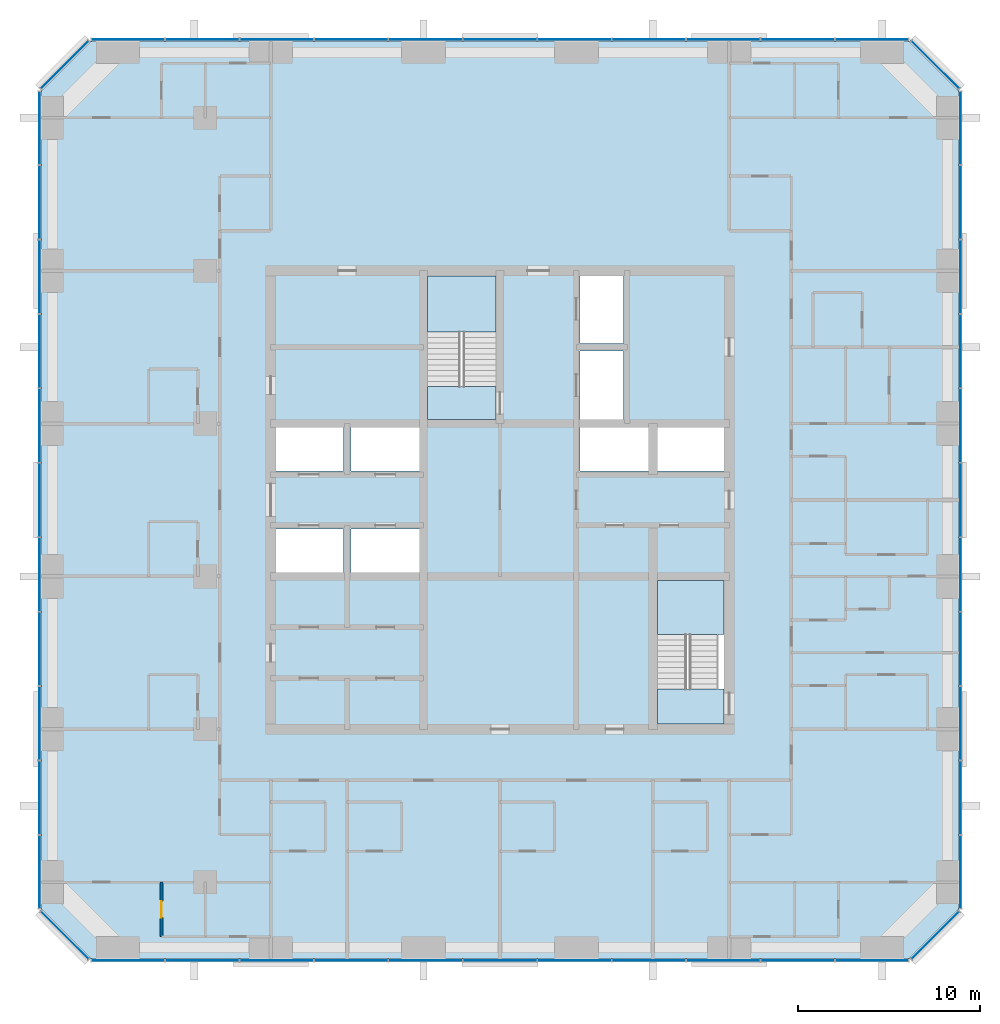
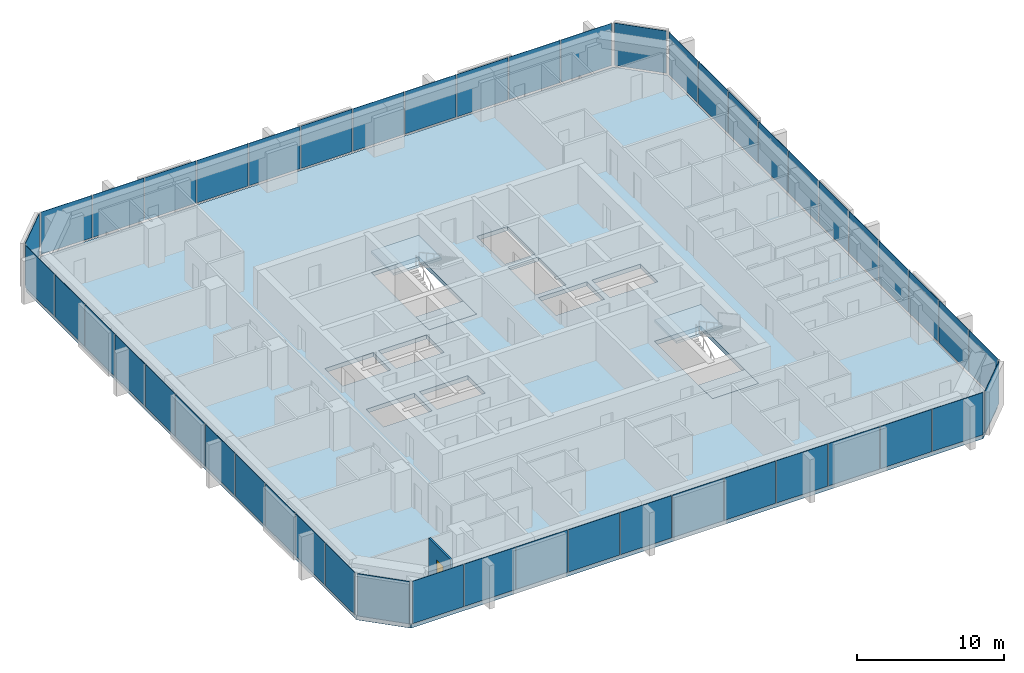
# One storey, part 7 of 13: 48 plates, 5 slabs, 1 door, 1 wall, 1 opening, 10 elements without a shape of their own.
"""IFC4 building model written with IfcOpenShell, lengths in metres."""

from ifc_helpers import new_model, si_unit, direction, frame, frame_2d, origin, origin_2d, place, context, subcontext, project, spatial, polyline, rectangle, outline, extrude, material, layer, layer_set, type_object, element, fill, aggregate, save


model = new_model("IFC4")

# Units and contexts
model_context = context("Model", 3, precision=1e-05, world=origin(), true_north=direction((0.0, 1.0)))
body_context = subcontext(model_context, "Body", "Model", "MODEL_VIEW")
ifc_project = project(units=[si_unit("LENGTHUNIT", "METRE"), si_unit("AREAUNIT", "SQUARE_METRE"), si_unit("VOLUMEUNIT", "CUBIC_METRE"), si_unit("PLANEANGLEUNIT", "RADIAN"), si_unit("MASSUNIT", "GRAM", prefix="KILO")], contexts=[model_context])

# Site, building, storey
site_placement = place(None, origin())
site = spatial("IfcSite", under=ifc_project, at=site_placement, CompositionType="ELEMENT")
building_placement = place(site_placement, origin())
building = spatial("IfcBuilding", under=site, at=building_placement, Name="Dunama Terrace Hotel", CompositionType="ELEMENT")
storey_placement = place(building_placement, frame((0.0, 0.0, 191.39990234375)))
storey = spatial("IfcBuildingStorey", under=building, at=storey_placement, Name="L49", CompositionType="ELEMENT", Elevation=191.39990234375)

# Curtain wall, plates
ifc_material_1 = material(Name="Aluminium curtain wall system", Category="aluminium")
curtain_wall_type = type_object("IfcCurtainWallType", Name="Unitised fritted glass wall CW-C", PredefinedType="NOTDEFINED", material=ifc_material_1)
curtain_wall_1_placement = place(storey_placement, origin())
curtain_wall_1 = element("IfcCurtainWall", 1, at=curtain_wall_1_placement, inside=storey, type_object=curtain_wall_type, Name="Unitised fritted glass wall CW-C L49", PredefinedType="NOTDEFINED")
ifc_material_2 = material(Name="Laminated glass", Category="glass")
ifc_layer_1 = layer(ifc_material_2, 0.031982421875)
ifc_layer_set_1 = layer_set([ifc_layer_1], Name="CWC clear glass panel")
plate_type_1 = type_object("IfcPlateType", Name="CWC clear glass panel", PredefinedType="CURTAIN_PANEL", material=ifc_layer_set_1)
plate_1_placement = place(storey_placement, frame((13.035888671875, 4.10009765625, 0.080078125), z_axis=(0.0, 0.0, 1.0), x_axis=(1.0, 0.0, 0.0)))
plate_1 = element("IfcPlate", 2, at=plate_1_placement, type_object=plate_type_1, Name="CWC clear glass panel", PredefinedType="CURTAIN_PANEL", context=body_context, shape_type="SweptSolid", body=[
    extrude(rectangle(XDim=4.02099609375, YDim=0.031982421875, at=origin_2d()), origin(), (0.0, 0.0, 1.0), 3.52001953125),
])
plate_2_placement = place(storey_placement, frame((25.30908203125, 4.10009765625, 0.080078125), z_axis=(0.0, 0.0, 1.0), x_axis=(1.0, 0.0, 0.0)))
plate_2 = element("IfcPlate", 3, at=plate_2_placement, type_object=plate_type_1, Name="CWC clear glass panel", PredefinedType="CURTAIN_PANEL", context=body_context, shape_type="SweptSolid", body=[
    extrude(rectangle(XDim=4.02099609375, YDim=0.031982421875, at=origin_2d()), origin(), (0.0, 0.0, 1.0), 3.52001953125),
])
plate_3_placement = place(storey_placement, frame((37.58203125, 4.10009765625, 0.080078125), z_axis=(0.0, 0.0, 1.0), x_axis=(1.0, 0.0, 0.0)))
plate_3 = element("IfcPlate", 4, at=plate_3_placement, type_object=plate_type_1, Name="CWC clear glass panel", PredefinedType="CURTAIN_PANEL", context=body_context, shape_type="SweptSolid", body=[
    extrude(rectangle(XDim=4.02099609375, YDim=0.031982421875, at=origin_2d()), origin(), (0.0, 0.0, 1.0), 3.52001953125),
])
plate_4_placement = place(storey_placement, frame((49.8369140625, 4.10009765625, 0.080078125), z_axis=(0.0, 0.0, 1.0), x_axis=(1.0, 0.0, 0.0)))
plate_4 = element("IfcPlate", 5, at=plate_4_placement, type_object=plate_type_1, Name="CWC clear glass panel", PredefinedType="CURTAIN_PANEL", context=body_context, shape_type="SweptSolid", body=[
    extrude(rectangle(XDim=3.98583984375, YDim=0.031982421875, at=origin_2d()), origin(), (0.0, 0.0, 1.0), 3.52001953125),
])

curtain_wall_2_placement = place(storey_placement, origin())
curtain_wall_2 = element("IfcCurtainWall", 6, at=curtain_wall_2_placement, inside=storey, type_object=curtain_wall_type, Name="Unitised fritted glass wall CW-C L49", PredefinedType="NOTDEFINED")
plate_5_placement = place(storey_placement, frame((54.699951171875, 13.035888671875, 0.080078125), z_axis=(0.0, 0.0, 1.0), x_axis=(0.0, 1.0, 0.0)))
plate_5 = element("IfcPlate", 7, at=plate_5_placement, type_object=plate_type_1, Name="CWC clear glass panel", PredefinedType="CURTAIN_PANEL", context=body_context, shape_type="SweptSolid", body=[
    extrude(rectangle(XDim=4.02099609375, YDim=0.031982421875, at=origin_2d()), origin(), (0.0, 0.0, 1.0), 3.52001953125),
])
plate_6_placement = place(storey_placement, frame((54.699951171875, 25.30908203125, 0.080078125), z_axis=(0.0, 0.0, 1.0), x_axis=(0.0, 1.0, 0.0)))
plate_6 = element("IfcPlate", 8, at=plate_6_placement, type_object=plate_type_1, Name="CWC clear glass panel", PredefinedType="CURTAIN_PANEL", context=body_context, shape_type="SweptSolid", body=[
    extrude(rectangle(XDim=4.02099609375, YDim=0.031982421875, at=origin_2d()), origin(), (0.0, 0.0, 1.0), 3.52001953125),
])
plate_7_placement = place(storey_placement, frame((54.699951171875, 37.58203125, 0.080078125), z_axis=(0.0, 0.0, 1.0), x_axis=(0.0, 1.0, 0.0)))
plate_7 = element("IfcPlate", 9, at=plate_7_placement, type_object=plate_type_1, Name="CWC clear glass panel", PredefinedType="CURTAIN_PANEL", context=body_context, shape_type="SweptSolid", body=[
    extrude(rectangle(XDim=4.02099609375, YDim=0.031982421875, at=origin_2d()), origin(), (0.0, 0.0, 1.0), 3.52001953125),
])
plate_8_placement = place(storey_placement, frame((54.699951171875, 49.8369140625, 0.080078125), z_axis=(0.0, 0.0, 1.0), x_axis=(0.0, 1.0, 0.0)))
plate_8 = element("IfcPlate", 10, at=plate_8_placement, type_object=plate_type_1, Name="CWC clear glass panel", PredefinedType="CURTAIN_PANEL", context=body_context, shape_type="SweptSolid", body=[
    extrude(rectangle(XDim=3.98583984375, YDim=0.031982421875, at=origin_2d()), origin(), (0.0, 0.0, 1.0), 3.52001953125),
])

curtain_wall_3_placement = place(storey_placement, origin())
curtain_wall_3 = element("IfcCurtainWall", 11, at=curtain_wall_3_placement, inside=storey, type_object=curtain_wall_type, Name="Unitised fritted glass wall CW-C L49", PredefinedType="NOTDEFINED")
plate_9_placement = place(storey_placement, frame((45.763916015625, 54.699951171875, 0.080078125), z_axis=(0.0, 0.0, 1.0), x_axis=(-1.0, 0.0, 0.0)))
plate_9 = element("IfcPlate", 12, at=plate_9_placement, type_object=plate_type_1, Name="CWC clear glass panel", PredefinedType="CURTAIN_PANEL", context=body_context, shape_type="SweptSolid", body=[
    extrude(rectangle(XDim=4.02099609375, YDim=0.031982421875, at=origin_2d()), origin(), (0.0, 0.0, 1.0), 3.52001953125),
])
plate_10_placement = place(storey_placement, frame((33.490966796875, 54.699951171875, 0.080078125), z_axis=(0.0, 0.0, 1.0), x_axis=(-1.0, 0.0, 0.0)))
plate_10 = element("IfcPlate", 13, at=plate_10_placement, type_object=plate_type_1, Name="CWC clear glass panel", PredefinedType="CURTAIN_PANEL", context=body_context, shape_type="SweptSolid", body=[
    extrude(rectangle(XDim=4.02099609375, YDim=0.031982421875, at=origin_2d()), origin(), (0.0, 0.0, 1.0), 3.52001953125),
])
plate_11_placement = place(storey_placement, frame((21.218017578125, 54.699951171875, 0.080078125), z_axis=(0.0, 0.0, 1.0), x_axis=(-1.0, 0.0, 0.0)))
plate_11 = element("IfcPlate", 14, at=plate_11_placement, type_object=plate_type_1, Name="CWC clear glass panel", PredefinedType="CURTAIN_PANEL", context=body_context, shape_type="SweptSolid", body=[
    extrude(rectangle(XDim=4.02099609375, YDim=0.031982421875, at=origin_2d()), origin(), (0.0, 0.0, 1.0), 3.52001953125),
])
plate_12_placement = place(storey_placement, frame((8.962890625, 54.699951171875, 0.080078125), z_axis=(0.0, 0.0, 1.0), x_axis=(-1.0, 0.0, 0.0)))
plate_12 = element("IfcPlate", 15, at=plate_12_placement, type_object=plate_type_1, Name="CWC clear glass panel", PredefinedType="CURTAIN_PANEL", context=body_context, shape_type="SweptSolid", body=[
    extrude(rectangle(XDim=3.98583984375, YDim=0.031982421875, at=origin_2d()), origin(), (0.0, 0.0, 1.0), 3.52001953125),
])

curtain_wall_4_placement = place(storey_placement, origin())
curtain_wall_4 = element("IfcCurtainWall", 16, at=curtain_wall_4_placement, inside=storey, type_object=curtain_wall_type, Name="Unitised fritted glass wall CW-C L49", PredefinedType="NOTDEFINED")
plate_13_placement = place(storey_placement, frame((4.10009765625, 45.763916015625, 0.080078125), z_axis=(0.0, 0.0, 1.0), x_axis=(0.0, -1.0, 0.0)))
plate_13 = element("IfcPlate", 17, at=plate_13_placement, type_object=plate_type_1, Name="CWC clear glass panel", PredefinedType="CURTAIN_PANEL", context=body_context, shape_type="SweptSolid", body=[
    extrude(rectangle(XDim=4.02099609375, YDim=0.031982421875, at=origin_2d()), origin(), (0.0, 0.0, 1.0), 3.52001953125),
])
plate_14_placement = place(storey_placement, frame((4.10009765625, 33.490966796875, 0.080078125), z_axis=(0.0, 0.0, 1.0), x_axis=(0.0, -1.0, 0.0)))
plate_14 = element("IfcPlate", 18, at=plate_14_placement, type_object=plate_type_1, Name="CWC clear glass panel", PredefinedType="CURTAIN_PANEL", context=body_context, shape_type="SweptSolid", body=[
    extrude(rectangle(XDim=4.02099609375, YDim=0.031982421875, at=origin_2d()), origin(), (0.0, 0.0, 1.0), 3.52001953125),
])
plate_15_placement = place(storey_placement, frame((4.10009765625, 21.218017578125, 0.080078125), z_axis=(0.0, 0.0, 1.0), x_axis=(0.0, -1.0, 0.0)))
plate_15 = element("IfcPlate", 19, at=plate_15_placement, type_object=plate_type_1, Name="CWC clear glass panel", PredefinedType="CURTAIN_PANEL", context=body_context, shape_type="SweptSolid", body=[
    extrude(rectangle(XDim=4.02099609375, YDim=0.031982421875, at=origin_2d()), origin(), (0.0, 0.0, 1.0), 3.52001953125),
])
plate_16_placement = place(storey_placement, frame((4.10009765625, 8.962890625, 0.080078125), z_axis=(0.0, 0.0, 1.0), x_axis=(0.0, -1.0, 0.0)))
plate_16 = element("IfcPlate", 20, at=plate_16_placement, type_object=plate_type_1, Name="CWC clear glass panel", PredefinedType="CURTAIN_PANEL", context=body_context, shape_type="SweptSolid", body=[
    extrude(rectangle(XDim=3.98583984375, YDim=0.031982421875, at=origin_2d()), origin(), (0.0, 0.0, 1.0), 3.52001953125),
])

# Plate
ifc_material_3 = material(Name="Fritted laminated glass", Category="glass")
ifc_layer_2 = layer(ifc_material_3, 0.031982421875)
ifc_layer_set_2 = layer_set([ifc_layer_2], Name="CWC fritted glass panel")
plate_type_2 = type_object("IfcPlateType", Name="CWC fritted glass panel", PredefinedType="CURTAIN_PANEL", material=ifc_layer_set_2)
plate_17_placement = place(storey_placement, frame((8.962890625, 4.10009765625, 0.080078125), z_axis=(0.0, 0.0, 1.0), x_axis=(1.0, 0.0, 0.0)))
plate_17 = element("IfcPlate", 21, at=plate_17_placement, type_object=plate_type_2, Name="CWC fritted glass panel", PredefinedType="CURTAIN_PANEL", context=body_context, shape_type="SweptSolid", body=[
    extrude(rectangle(XDim=3.98583984375, YDim=0.031982421875, at=origin_2d()), origin(), (0.0, 0.0, 1.0), 3.52001953125),
])

plate_18_placement = place(storey_placement, frame((21.218017578125, 4.10009765625, 0.080078125), z_axis=(0.0, 0.0, 1.0), x_axis=(1.0, 0.0, 0.0)))
plate_18 = element("IfcPlate", 22, at=plate_18_placement, type_object=plate_type_2, Name="CWC fritted glass panel", PredefinedType="CURTAIN_PANEL", context=body_context, shape_type="SweptSolid", body=[
    extrude(rectangle(XDim=4.02099609375, YDim=0.031982421875, at=origin_2d()), origin(), (0.0, 0.0, 1.0), 3.52001953125),
])

plate_19_placement = place(storey_placement, frame((33.490966796875, 4.10009765625, 0.080078125), z_axis=(0.0, 0.0, 1.0), x_axis=(1.0, 0.0, 0.0)))
plate_19 = element("IfcPlate", 23, at=plate_19_placement, type_object=plate_type_2, Name="CWC fritted glass panel", PredefinedType="CURTAIN_PANEL", context=body_context, shape_type="SweptSolid", body=[
    extrude(rectangle(XDim=4.02099609375, YDim=0.031982421875, at=origin_2d()), origin(), (0.0, 0.0, 1.0), 3.52001953125),
])

plate_20_placement = place(storey_placement, frame((45.763916015625, 4.10009765625, 0.080078125), z_axis=(0.0, 0.0, 1.0), x_axis=(1.0, 0.0, 0.0)))
plate_20 = element("IfcPlate", 24, at=plate_20_placement, type_object=plate_type_2, Name="CWC fritted glass panel", PredefinedType="CURTAIN_PANEL", context=body_context, shape_type="SweptSolid", body=[
    extrude(rectangle(XDim=4.02099609375, YDim=0.031982421875, at=origin_2d()), origin(), (0.0, 0.0, 1.0), 3.52001953125),
])

plate_21_placement = place(storey_placement, frame((54.699951171875, 8.962890625, 0.080078125), z_axis=(0.0, 0.0, 1.0), x_axis=(0.0, 1.0, 0.0)))
plate_21 = element("IfcPlate", 25, at=plate_21_placement, type_object=plate_type_2, Name="CWC fritted glass panel", PredefinedType="CURTAIN_PANEL", context=body_context, shape_type="SweptSolid", body=[
    extrude(rectangle(XDim=3.98583984375, YDim=0.031982421875, at=origin_2d()), origin(), (0.0, 0.0, 1.0), 3.52001953125),
])

plate_22_placement = place(storey_placement, frame((54.699951171875, 21.218017578125, 0.080078125), z_axis=(0.0, 0.0, 1.0), x_axis=(0.0, 1.0, 0.0)))
plate_22 = element("IfcPlate", 26, at=plate_22_placement, type_object=plate_type_2, Name="CWC fritted glass panel", PredefinedType="CURTAIN_PANEL", context=body_context, shape_type="SweptSolid", body=[
    extrude(rectangle(XDim=4.02099609375, YDim=0.031982421875, at=origin_2d()), origin(), (0.0, 0.0, 1.0), 3.52001953125),
])

plate_23_placement = place(storey_placement, frame((54.699951171875, 33.490966796875, 0.080078125), z_axis=(0.0, 0.0, 1.0), x_axis=(0.0, 1.0, 0.0)))
plate_23 = element("IfcPlate", 27, at=plate_23_placement, type_object=plate_type_2, Name="CWC fritted glass panel", PredefinedType="CURTAIN_PANEL", context=body_context, shape_type="SweptSolid", body=[
    extrude(rectangle(XDim=4.02099609375, YDim=0.031982421875, at=origin_2d()), origin(), (0.0, 0.0, 1.0), 3.52001953125),
])

plate_24_placement = place(storey_placement, frame((54.699951171875, 45.763916015625, 0.080078125), z_axis=(0.0, 0.0, 1.0), x_axis=(0.0, 1.0, 0.0)))
plate_24 = element("IfcPlate", 28, at=plate_24_placement, type_object=plate_type_2, Name="CWC fritted glass panel", PredefinedType="CURTAIN_PANEL", context=body_context, shape_type="SweptSolid", body=[
    extrude(rectangle(XDim=4.02099609375, YDim=0.031982421875, at=origin_2d()), origin(), (0.0, 0.0, 1.0), 3.52001953125),
])

plate_25_placement = place(storey_placement, frame((49.8369140625, 54.699951171875, 0.080078125), z_axis=(0.0, 0.0, 1.0), x_axis=(-1.0, 0.0, 0.0)))
plate_25 = element("IfcPlate", 29, at=plate_25_placement, type_object=plate_type_2, Name="CWC fritted glass panel", PredefinedType="CURTAIN_PANEL", context=body_context, shape_type="SweptSolid", body=[
    extrude(rectangle(XDim=3.98583984375, YDim=0.031982421875, at=origin_2d()), origin(), (0.0, 0.0, 1.0), 3.52001953125),
])

plate_26_placement = place(storey_placement, frame((37.58203125, 54.699951171875, 0.080078125), z_axis=(0.0, 0.0, 1.0), x_axis=(-1.0, 0.0, 0.0)))
plate_26 = element("IfcPlate", 30, at=plate_26_placement, type_object=plate_type_2, Name="CWC fritted glass panel", PredefinedType="CURTAIN_PANEL", context=body_context, shape_type="SweptSolid", body=[
    extrude(rectangle(XDim=4.02099609375, YDim=0.031982421875, at=origin_2d()), origin(), (0.0, 0.0, 1.0), 3.52001953125),
])

plate_27_placement = place(storey_placement, frame((25.30908203125, 54.699951171875, 0.080078125), z_axis=(0.0, 0.0, 1.0), x_axis=(-1.0, 0.0, 0.0)))
plate_27 = element("IfcPlate", 31, at=plate_27_placement, type_object=plate_type_2, Name="CWC fritted glass panel", PredefinedType="CURTAIN_PANEL", context=body_context, shape_type="SweptSolid", body=[
    extrude(rectangle(XDim=4.02099609375, YDim=0.031982421875, at=origin_2d()), origin(), (0.0, 0.0, 1.0), 3.52001953125),
])

plate_28_placement = place(storey_placement, frame((13.035888671875, 54.699951171875, 0.080078125), z_axis=(0.0, 0.0, 1.0), x_axis=(-1.0, 0.0, 0.0)))
plate_28 = element("IfcPlate", 32, at=plate_28_placement, type_object=plate_type_2, Name="CWC fritted glass panel", PredefinedType="CURTAIN_PANEL", context=body_context, shape_type="SweptSolid", body=[
    extrude(rectangle(XDim=4.02099609375, YDim=0.031982421875, at=origin_2d()), origin(), (0.0, 0.0, 1.0), 3.52001953125),
])

plate_29_placement = place(storey_placement, frame((4.10009765625, 49.8369140625, 0.080078125), z_axis=(0.0, 0.0, 1.0), x_axis=(0.0, -1.0, 0.0)))
plate_29 = element("IfcPlate", 33, at=plate_29_placement, type_object=plate_type_2, Name="CWC fritted glass panel", PredefinedType="CURTAIN_PANEL", context=body_context, shape_type="SweptSolid", body=[
    extrude(rectangle(XDim=3.98583984375, YDim=0.031982421875, at=origin_2d()), origin(), (0.0, 0.0, 1.0), 3.52001953125),
])

plate_30_placement = place(storey_placement, frame((4.10009765625, 37.58203125, 0.080078125), z_axis=(0.0, 0.0, 1.0), x_axis=(0.0, -1.0, 0.0)))
plate_30 = element("IfcPlate", 34, at=plate_30_placement, type_object=plate_type_2, Name="CWC fritted glass panel", PredefinedType="CURTAIN_PANEL", context=body_context, shape_type="SweptSolid", body=[
    extrude(rectangle(XDim=4.02099609375, YDim=0.031982421875, at=origin_2d()), origin(), (0.0, 0.0, 1.0), 3.52001953125),
])

plate_31_placement = place(storey_placement, frame((4.10009765625, 25.30908203125, 0.080078125), z_axis=(0.0, 0.0, 1.0), x_axis=(0.0, -1.0, 0.0)))
plate_31 = element("IfcPlate", 35, at=plate_31_placement, type_object=plate_type_2, Name="CWC fritted glass panel", PredefinedType="CURTAIN_PANEL", context=body_context, shape_type="SweptSolid", body=[
    extrude(rectangle(XDim=4.02099609375, YDim=0.031982421875, at=origin_2d()), origin(), (0.0, 0.0, 1.0), 3.52001953125),
])

plate_32_placement = place(storey_placement, frame((4.10009765625, 13.035888671875, 0.080078125), z_axis=(0.0, 0.0, 1.0), x_axis=(0.0, -1.0, 0.0)))
plate_32 = element("IfcPlate", 36, at=plate_32_placement, type_object=plate_type_2, Name="CWC fritted glass panel", PredefinedType="CURTAIN_PANEL", context=body_context, shape_type="SweptSolid", body=[
    extrude(rectangle(XDim=4.02099609375, YDim=0.031982421875, at=origin_2d()), origin(), (0.0, 0.0, 1.0), 3.52001953125),
])

ifc_material_4 = material(Name="Laminated glass", Category="glass")
ifc_layer_3 = layer(ifc_material_4, 0.031982421875)
ifc_layer_set_3 = layer_set([ifc_layer_3], Name="CWC operable glass panel")
plate_type_3 = type_object("IfcPlateType", Name="CWC operable glass panel", PredefinedType="CURTAIN_PANEL", material=ifc_layer_set_3)
plate_33_placement = place(storey_placement, frame((17.126953125, 4.10009765625, 0.080078125), z_axis=(0.0, 0.0, 1.0), x_axis=(1.0, 0.0, 0.0)))
plate_33 = element("IfcPlate", 37, at=plate_33_placement, type_object=plate_type_3, Name="CWC operable glass panel", PredefinedType="CURTAIN_PANEL", context=body_context, shape_type="SweptSolid", body=[
    extrude(rectangle(XDim=4.02099609375, YDim=0.031982421875, at=origin_2d()), origin(), (0.0, 0.0, 1.0), 3.52001953125),
])

plate_34_placement = place(storey_placement, frame((29.39990234375, 4.10009765625, 0.080078125), z_axis=(0.0, 0.0, 1.0), x_axis=(1.0, 0.0, 0.0)))
plate_34 = element("IfcPlate", 38, at=plate_34_placement, type_object=plate_type_3, Name="CWC operable glass panel", PredefinedType="CURTAIN_PANEL", context=body_context, shape_type="SweptSolid", body=[
    extrude(rectangle(XDim=4.02099609375, YDim=0.031982421875, at=origin_2d()), origin(), (0.0, 0.0, 1.0), 3.52001953125),
])

plate_35_placement = place(storey_placement, frame((41.673095703125, 4.10009765625, 0.080078125), z_axis=(0.0, 0.0, 1.0), x_axis=(1.0, 0.0, 0.0)))
plate_35 = element("IfcPlate", 39, at=plate_35_placement, type_object=plate_type_3, Name="CWC operable glass panel", PredefinedType="CURTAIN_PANEL", context=body_context, shape_type="SweptSolid", body=[
    extrude(rectangle(XDim=4.02099609375, YDim=0.031982421875, at=origin_2d()), origin(), (0.0, 0.0, 1.0), 3.52001953125),
])

aggregate(curtain_wall_1, [plate_17, plate_1, plate_33, plate_18, plate_2, plate_34, plate_19, plate_3, plate_35, plate_20, plate_4])

# Curtain wall, plate
curtain_wall_5_placement = place(storey_placement, origin())
curtain_wall_5 = element("IfcCurtainWall", 40, at=curtain_wall_5_placement, inside=storey, type_object=curtain_wall_type, Name="Unitised fritted glass wall CW-C L49", PredefinedType="NOTDEFINED")
plate_36_placement = place(storey_placement, frame((53.321044921875, 5.47900390625, 0.080078125), z_axis=(0.0, 0.0, 1.0), x_axis=(0.707106781187, 0.707106781187, 0.0)))
plate_36 = element("IfcPlate", 41, at=plate_36_placement, type_object=plate_type_3, Name="CWC operable glass panel", PredefinedType="CURTAIN_PANEL", context=body_context, shape_type="SweptSolid", body=[
    extrude(rectangle(XDim=3.678466796875, YDim=0.031982421875, at=origin_2d()), origin(), (0.0, 0.0, 1.0), 3.52001953125),
])
aggregate(curtain_wall_5, [plate_36])

# Plate
plate_37_placement = place(storey_placement, frame((54.699951171875, 17.126953125, 0.080078125), z_axis=(0.0, 0.0, 1.0), x_axis=(0.0, 1.0, 0.0)))
plate_37 = element("IfcPlate", 42, at=plate_37_placement, type_object=plate_type_3, Name="CWC operable glass panel", PredefinedType="CURTAIN_PANEL", context=body_context, shape_type="SweptSolid", body=[
    extrude(rectangle(XDim=4.02099609375, YDim=0.031982421875, at=origin_2d()), origin(), (0.0, 0.0, 1.0), 3.52001953125),
])

plate_38_placement = place(storey_placement, frame((54.699951171875, 29.39990234375, 0.080078125), z_axis=(0.0, 0.0, 1.0), x_axis=(0.0, 1.0, 0.0)))
plate_38 = element("IfcPlate", 43, at=plate_38_placement, type_object=plate_type_3, Name="CWC operable glass panel", PredefinedType="CURTAIN_PANEL", context=body_context, shape_type="SweptSolid", body=[
    extrude(rectangle(XDim=4.02099609375, YDim=0.031982421875, at=origin_2d()), origin(), (0.0, 0.0, 1.0), 3.52001953125),
])

plate_39_placement = place(storey_placement, frame((54.699951171875, 41.673095703125, 0.080078125), z_axis=(0.0, 0.0, 1.0), x_axis=(0.0, 1.0, 0.0)))
plate_39 = element("IfcPlate", 44, at=plate_39_placement, type_object=plate_type_3, Name="CWC operable glass panel", PredefinedType="CURTAIN_PANEL", context=body_context, shape_type="SweptSolid", body=[
    extrude(rectangle(XDim=4.02099609375, YDim=0.031982421875, at=origin_2d()), origin(), (0.0, 0.0, 1.0), 3.52001953125),
])

aggregate(curtain_wall_2, [plate_21, plate_5, plate_37, plate_22, plate_6, plate_38, plate_23, plate_7, plate_39, plate_24, plate_8])

# Curtain wall, plate
curtain_wall_6_placement = place(storey_placement, origin())
curtain_wall_6 = element("IfcCurtainWall", 45, at=curtain_wall_6_placement, inside=storey, type_object=curtain_wall_type, Name="Unitised fritted glass wall CW-C L49", PredefinedType="NOTDEFINED")
plate_40_placement = place(storey_placement, frame((53.321044921875, 53.321044921875, 0.080078125), z_axis=(0.0, 0.0, 1.0), x_axis=(-0.707106781187, 0.707106781187, 0.0)))
plate_40 = element("IfcPlate", 46, at=plate_40_placement, type_object=plate_type_3, Name="CWC operable glass panel", PredefinedType="CURTAIN_PANEL", context=body_context, shape_type="SweptSolid", body=[
    extrude(rectangle(XDim=3.678466796875, YDim=0.031982421875, at=origin_2d()), origin(), (0.0, 0.0, 1.0), 3.52001953125),
])
aggregate(curtain_wall_6, [plate_40])

# Plate
plate_41_placement = place(storey_placement, frame((41.673095703125, 54.699951171875, 0.080078125), z_axis=(0.0, 0.0, 1.0), x_axis=(-1.0, 0.0, 0.0)))
plate_41 = element("IfcPlate", 47, at=plate_41_placement, type_object=plate_type_3, Name="CWC operable glass panel", PredefinedType="CURTAIN_PANEL", context=body_context, shape_type="SweptSolid", body=[
    extrude(rectangle(XDim=4.02099609375, YDim=0.031982421875, at=origin_2d()), origin(), (0.0, 0.0, 1.0), 3.52001953125),
])

plate_42_placement = place(storey_placement, frame((29.39990234375, 54.699951171875, 0.080078125), z_axis=(0.0, 0.0, 1.0), x_axis=(-1.0, 0.0, 0.0)))
plate_42 = element("IfcPlate", 48, at=plate_42_placement, type_object=plate_type_3, Name="CWC operable glass panel", PredefinedType="CURTAIN_PANEL", context=body_context, shape_type="SweptSolid", body=[
    extrude(rectangle(XDim=4.02099609375, YDim=0.031982421875, at=origin_2d()), origin(), (0.0, 0.0, 1.0), 3.52001953125),
])

plate_43_placement = place(storey_placement, frame((17.126953125, 54.699951171875, 0.080078125), z_axis=(0.0, 0.0, 1.0), x_axis=(-1.0, 0.0, 0.0)))
plate_43 = element("IfcPlate", 49, at=plate_43_placement, type_object=plate_type_3, Name="CWC operable glass panel", PredefinedType="CURTAIN_PANEL", context=body_context, shape_type="SweptSolid", body=[
    extrude(rectangle(XDim=4.02099609375, YDim=0.031982421875, at=origin_2d()), origin(), (0.0, 0.0, 1.0), 3.52001953125),
])

aggregate(curtain_wall_3, [plate_25, plate_9, plate_41, plate_26, plate_10, plate_42, plate_27, plate_11, plate_43, plate_28, plate_12])

# Curtain wall, plate
curtain_wall_7_placement = place(storey_placement, origin())
curtain_wall_7 = element("IfcCurtainWall", 50, at=curtain_wall_7_placement, inside=storey, type_object=curtain_wall_type, Name="Unitised fritted glass wall CW-C L49", PredefinedType="NOTDEFINED")
plate_44_placement = place(storey_placement, frame((5.47900390625, 53.321044921875, 0.080078125), z_axis=(0.0, 0.0, 1.0), x_axis=(-0.707106781187, -0.707106781187, 0.0)))
plate_44 = element("IfcPlate", 51, at=plate_44_placement, type_object=plate_type_3, Name="CWC operable glass panel", PredefinedType="CURTAIN_PANEL", context=body_context, shape_type="SweptSolid", body=[
    extrude(rectangle(XDim=3.678466796875, YDim=0.031982421875, at=origin_2d()), origin(), (0.0, 0.0, 1.0), 3.52001953125),
])
aggregate(curtain_wall_7, [plate_44])

# Plate
plate_45_placement = place(storey_placement, frame((4.10009765625, 41.673095703125, 0.080078125), z_axis=(0.0, 0.0, 1.0), x_axis=(0.0, -1.0, 0.0)))
plate_45 = element("IfcPlate", 52, at=plate_45_placement, type_object=plate_type_3, Name="CWC operable glass panel", PredefinedType="CURTAIN_PANEL", context=body_context, shape_type="SweptSolid", body=[
    extrude(rectangle(XDim=4.02099609375, YDim=0.031982421875, at=origin_2d()), origin(), (0.0, 0.0, 1.0), 3.52001953125),
])

plate_46_placement = place(storey_placement, frame((4.10009765625, 29.39990234375, 0.080078125), z_axis=(0.0, 0.0, 1.0), x_axis=(0.0, -1.0, 0.0)))
plate_46 = element("IfcPlate", 53, at=plate_46_placement, type_object=plate_type_3, Name="CWC operable glass panel", PredefinedType="CURTAIN_PANEL", context=body_context, shape_type="SweptSolid", body=[
    extrude(rectangle(XDim=4.02099609375, YDim=0.031982421875, at=origin_2d()), origin(), (0.0, 0.0, 1.0), 3.52001953125),
])

plate_47_placement = place(storey_placement, frame((4.10009765625, 17.126953125, 0.080078125), z_axis=(0.0, 0.0, 1.0), x_axis=(0.0, -1.0, 0.0)))
plate_47 = element("IfcPlate", 54, at=plate_47_placement, type_object=plate_type_3, Name="CWC operable glass panel", PredefinedType="CURTAIN_PANEL", context=body_context, shape_type="SweptSolid", body=[
    extrude(rectangle(XDim=4.02099609375, YDim=0.031982421875, at=origin_2d()), origin(), (0.0, 0.0, 1.0), 3.52001953125),
])

aggregate(curtain_wall_4, [plate_29, plate_13, plate_45, plate_30, plate_14, plate_46, plate_31, plate_15, plate_47, plate_32, plate_16])

# Curtain wall, plate
curtain_wall_8_placement = place(storey_placement, origin())
curtain_wall_8 = element("IfcCurtainWall", 55, at=curtain_wall_8_placement, inside=storey, type_object=curtain_wall_type, Name="Unitised fritted glass wall CW-C L49", PredefinedType="NOTDEFINED")
plate_48_placement = place(storey_placement, frame((5.47900390625, 5.47900390625, 0.080078125), z_axis=(0.0, 0.0, 1.0), x_axis=(0.707106781187, -0.707106781187, 0.0)))
plate_48 = element("IfcPlate", 56, at=plate_48_placement, type_object=plate_type_3, Name="CWC operable glass panel", PredefinedType="CURTAIN_PANEL", context=body_context, shape_type="SweptSolid", body=[
    extrude(rectangle(XDim=3.678466796875, YDim=0.031982421875, at=origin_2d()), origin(), (0.0, 0.0, 1.0), 3.52001953125),
])
aggregate(curtain_wall_8, [plate_48])

# Slab
ifc_material_5 = material(Name="Concrete C40/50", Category="concrete")
ifc_layer_4 = layer(ifc_material_5, 0.35009765625)
ifc_layer_set_4 = layer_set([ifc_layer_4], Name="Flat plate 350")
slab_type_1 = type_object("IfcSlabType", Name="Flat plate 350", PredefinedType="FLOOR", material=ifc_layer_set_4)
slab_1_placement = place(storey_placement, frame((0.0, 0.0, -0.349853515625)))
element("IfcSlab", 57, at=slab_1_placement, inside=storey, type_object=slab_type_1, Name="Floor slab L49", PredefinedType="FLOOR", context=body_context, shape_type="SweptSolid", body=[
    extrude(outline(polyline([(6.89990234375, 4.199951171875), (51.89990234375, 4.199951171875), (54.60009765625, 6.89990234375), (54.60009765625, 51.89990234375), (51.89990234375, 54.60009765625), (6.89990234375, 54.60009765625), (4.199951171875, 51.89990234375), (4.199951171875, 6.89990234375), (6.89990234375, 4.199951171875)]), holes=[polyline([(20.800048828125, 25.39990234375), (20.800048828125, 27.800048828125), (17.0, 27.800048828125), (17.0, 25.39990234375), (20.800048828125, 25.39990234375)]), polyline([(25.0, 25.39990234375), (25.0, 27.800048828125), (21.199951171875, 27.800048828125), (21.199951171875, 25.39990234375), (25.0, 25.39990234375)]), polyline([(20.800048828125, 31.0), (20.800048828125, 33.39990234375), (17.0, 33.39990234375), (17.0, 31.0), (20.800048828125, 31.0)]), polyline([(25.0, 31.0), (25.0, 33.39990234375), (21.199951171875, 33.39990234375), (21.199951171875, 31.0), (25.0, 31.0)]), polyline([(37.60009765625, 31.0), (37.60009765625, 33.39990234375), (33.800048828125, 33.39990234375), (33.800048828125, 31.0), (37.60009765625, 31.0)]), polyline([(41.800048828125, 31.0), (41.800048828125, 33.39990234375), (38.0, 33.39990234375), (38.0, 31.0), (41.800048828125, 31.0)]), polyline([(36.199951171875, 38.0), (36.199951171875, 41.800048828125), (33.800048828125, 41.800048828125), (33.800048828125, 38.0), (36.199951171875, 38.0)]), polyline([(36.199951171875, 33.800048828125), (36.199951171875, 37.60009765625), (33.800048828125, 37.60009765625), (33.800048828125, 33.800048828125), (36.199951171875, 33.800048828125)]), polyline([(29.175048828125, 33.824951171875), (29.175048828125, 41.699951171875), (25.425048828125, 41.699951171875), (25.425048828125, 33.824951171875), (29.175048828125, 33.824951171875)]), polyline([(41.699951171875, 17.10009765625), (41.699951171875, 24.97509765625), (38.050048828125, 24.97509765625), (38.050048828125, 17.10009765625), (41.699951171875, 17.10009765625)])]), origin(), (0.0, 0.0, 1.0), 0.349853515625),
])

# Stair, slabs
ifc_material_6 = material(Name="Concrete C40/50", Category="concrete")
stair_type_1 = type_object("IfcStairType", Name="Stair ST1-3600-1800", PredefinedType="HALF_TURN_STAIR", material=ifc_material_6)
stair_1_placement = place(storey_placement, origin())
stair_1 = element("IfcStair", 58, at=stair_1_placement, inside=storey, type_object=stair_type_1, Name="Stair ST1 L49", PredefinedType="HALF_TURN_STAIR")
ifc_material_7 = material(Name="Concrete C40/50", Category="concrete")
ifc_layer_5 = layer(ifc_material_7, 0.199951171875)
ifc_layer_set_5 = layer_set([ifc_layer_5], Name="Stair landing 200")
slab_type_2 = type_object("IfcSlabType", Name="Stair landing 200", PredefinedType="LANDING", material=ifc_layer_set_5)
slab_2_placement = place(storey_placement, frame((0.0, 0.0, -0.199951171875)))
slab_2 = element("IfcSlab", 59, at=slab_2_placement, type_object=slab_type_2, Name="ST1 landing 1, type S10", PredefinedType="LANDING", context=body_context, shape_type="SweptSolid", body=[
    extrude(outline(polyline([(25.425048828125, 33.824951171875), (29.175048828125, 33.824951171875), (29.175048828125, 35.625), (25.425048828125, 35.625), (25.425048828125, 33.824951171875)])), origin(), (0.0, 0.0, 1.0), 0.199951171875),
])
slab_3_placement = place(storey_placement, frame((0.0, 0.0, 1.60009765625)))
slab_3 = element("IfcSlab", 60, at=slab_3_placement, type_object=slab_type_2, Name="ST1 landing 2, type S10", PredefinedType="LANDING", context=body_context, shape_type="SweptSolid", body=[
    extrude(outline(polyline([(25.425048828125, 38.625), (29.175048828125, 38.625), (29.175048828125, 41.699951171875), (25.425048828125, 41.699951171875), (25.425048828125, 38.625)])), origin(), (0.0, 0.0, 1.0), 0.199951171875),
])
aggregate(stair_1, [slab_2, slab_3])

ifc_material_8 = material(Name="Concrete C40/50", Category="concrete")
stair_type_2 = type_object("IfcStairType", Name="Stair ST2-3600-1600", PredefinedType="HALF_TURN_STAIR", material=ifc_material_8)
stair_2_placement = place(storey_placement, origin())
stair_2 = element("IfcStair", 61, at=stair_2_placement, inside=storey, type_object=stair_type_2, Name="Stair ST2 L49", PredefinedType="HALF_TURN_STAIR")
slab_4_placement = place(storey_placement, frame((0.0, 0.0, -0.199951171875)))
slab_4 = element("IfcSlab", 62, at=slab_4_placement, type_object=slab_type_2, Name="ST2 landing 1, type S10", PredefinedType="LANDING", context=body_context, shape_type="SweptSolid", body=[
    extrude(outline(polyline([(38.050048828125, 17.10009765625), (41.699951171875, 17.10009765625), (41.699951171875, 19.0), (38.050048828125, 19.0), (38.050048828125, 17.10009765625)])), origin(), (0.0, 0.0, 1.0), 0.199951171875),
])
slab_5_placement = place(storey_placement, frame((0.0, 0.0, 1.60009765625)))
slab_5 = element("IfcSlab", 63, at=slab_5_placement, type_object=slab_type_2, Name="ST2 landing 2, type S10", PredefinedType="LANDING", context=body_context, shape_type="SweptSolid", body=[
    extrude(outline(polyline([(38.050048828125, 22.0), (41.699951171875, 22.0), (41.699951171875, 24.97509765625), (38.050048828125, 24.97509765625), (38.050048828125, 22.0)])), origin(), (0.0, 0.0, 1.0), 0.199951171875),
])
aggregate(stair_2, [slab_4, slab_5])

# Wall, opening, door
ifc_material_9 = material(Name="Gypsum board partition", Category="masonry")
ifc_layer_6 = layer(ifc_material_9, 0.14990234375)
ifc_layer_set_6 = layer_set([ifc_layer_6], Name="Room partition 150")
wall_type = type_object("IfcWallType", Name="Room partition 150", PredefinedType="PARTITIONING", material=ifc_layer_set_6)
wall_placement = place(storey_placement, frame((10.800048828125, 5.39990234375, 0.0), z_axis=(0.0, 0.0, 1.0), x_axis=(0.0, 1.0, 0.0)))
wall = element("IfcWall", 64, at=wall_placement, inside=storey, type_object=wall_type, Name="Room partition 150 L49", PredefinedType="PARTITIONING", context=body_context, shape_type="SweptSolid", body=[
    extrude(rectangle(XDim=3.0, YDim=0.14990234375, at=frame_2d((1.5, 0.0))), origin(), (0.0, 0.0, 1.0), 3.25),
])
opening_placement = place(wall_placement, frame((1.050048828125, 0.0, 0.0)))
opening = element("IfcOpeningElement", 65, at=opening_placement, cuts=wall, Name="Opening L48-50-043", PredefinedType="OPENING", context=body_context, shape_type="SweptSolid", body=[
    extrude(rectangle(XDim=0.89990234375, YDim=2.10009765625, at=frame_2d((0.449951171875, 1.050048828125))), frame((0.0, 0.0849609375, 0.0), z_axis=(0.0, -1.0, 0.0), x_axis=(1.0, 0.0, 0.0)), (0.0, 0.0, 1.0), 0.169921875),
])
ifc_material_10 = material(Name="Timber door with steel frame", Category="steel")
door_type = type_object("IfcDoorType", Name="Suite internal door 900", OperationType="SINGLE_SWING_LEFT", PredefinedType="DOOR", material=ifc_material_10)
door_placement = place(opening_placement, frame((0.89990234375, 0.0, 0.0), z_axis=(0.0, 0.0, 1.0), x_axis=(-1.0, 0.0, 0.0)))
door = element("IfcDoor", 66, at=door_placement, inside=storey, type_object=door_type, Name="Door to dressing room L48-50-043, type D16", OperationType="SINGLE_SWING_LEFT", OverallHeight=2.10009765625, OverallWidth=0.89990234375, PredefinedType="DOOR", context=body_context, shape_type="SweptSolid", body=[
    extrude(rectangle(XDim=0.89990234375, YDim=2.10009765625, at=frame_2d((0.449951171875, 1.050048828125))), frame((0.0, 0.025146484375, 0.0), z_axis=(0.0, -1.0, 0.0), x_axis=(1.0, 0.0, 0.0)), (0.0, 0.0, 1.0), 0.050048828125),
])
fill(opening, door)

save(model, "model.ifc")
